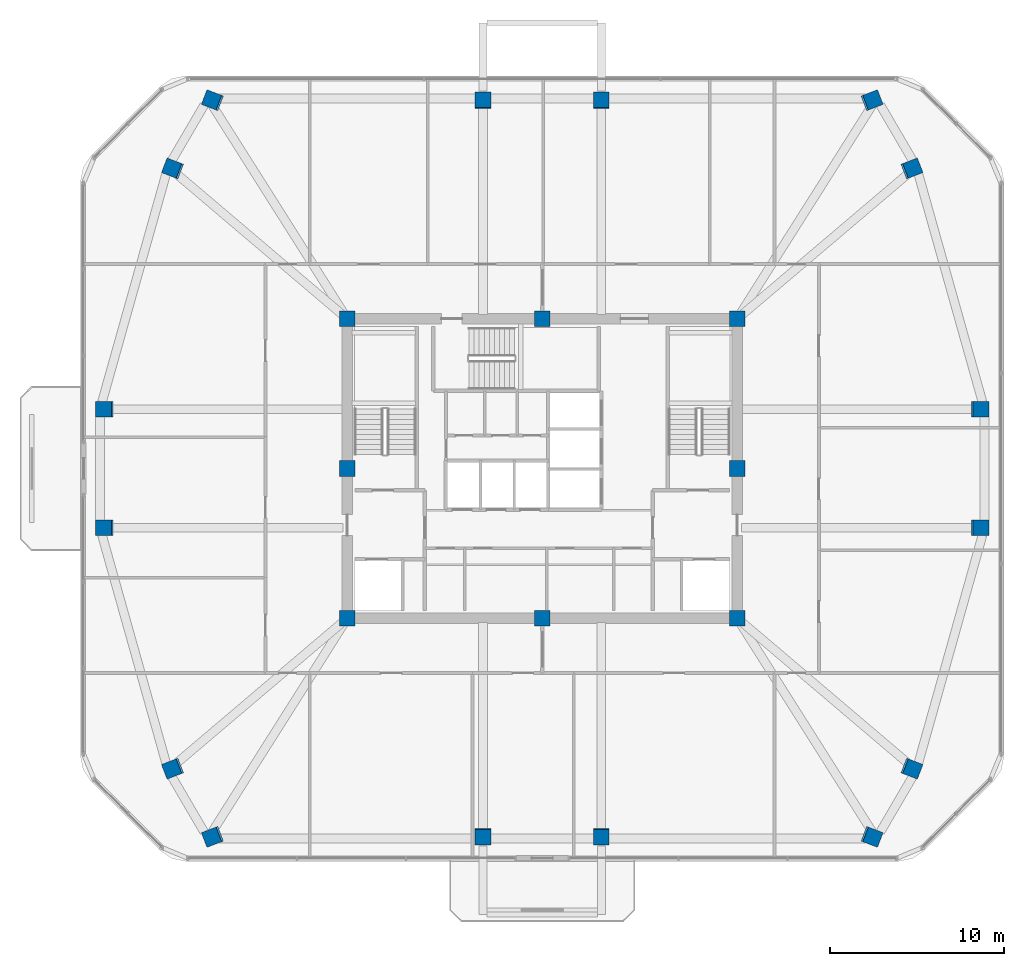
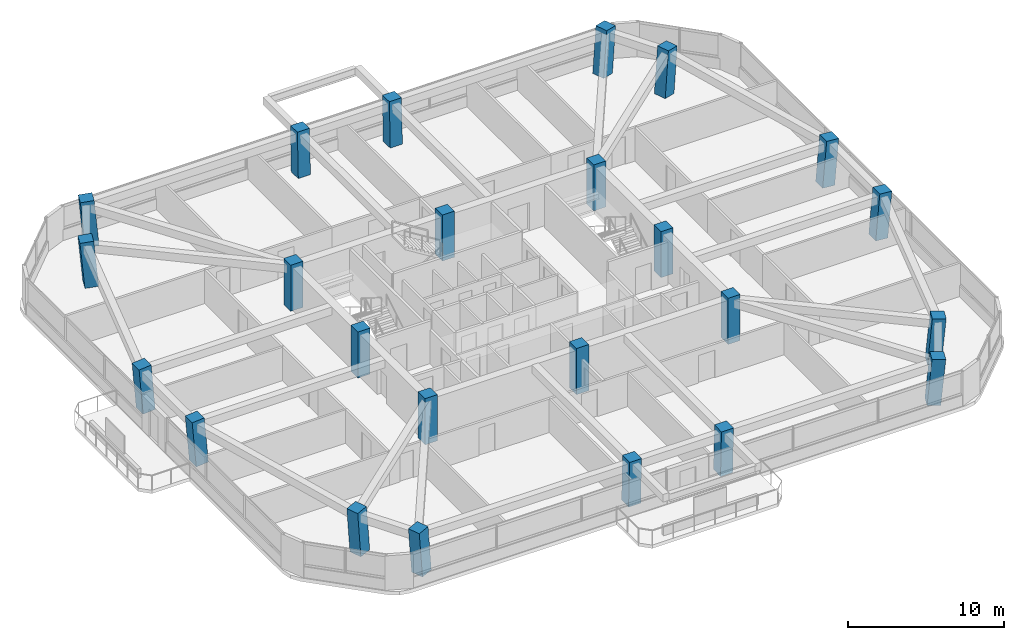
# One storey, part 1 of 13: 24 columns.
"""IFC4 building model written with IfcOpenShell, lengths in metres."""

from ifc_helpers import new_model, si_unit, derived_unit, direction, frame, origin, origin_2d, place, context, subcontext, project, spatial, rectangle, extrude, material, material_profile, profile_set, type_object, element, save


model = new_model("IFC4")

# Units and contexts
model_context = context("Model", 3, precision=1e-05, world=origin(), true_north=direction((0.0, 1.0)))
body_context = subcontext(model_context, "Body", "Model", "MODEL_VIEW")
ifc_project = project(units=[si_unit("LENGTHUNIT", "METRE"), si_unit("AREAUNIT", "SQUARE_METRE"), si_unit("VOLUMEUNIT", "CUBIC_METRE"), si_unit("PLANEANGLEUNIT", "RADIAN"), si_unit("MASSUNIT", "GRAM", prefix="KILO"), derived_unit("THERMALTRANSMITTANCEUNIT", [(si_unit("POWERUNIT", "WATT"), 1), (si_unit("LENGTHUNIT", "METRE"), -2), (si_unit("THERMODYNAMICTEMPERATUREUNIT", "KELVIN"), -1)])], contexts=[model_context])

# Site, building, storey
site_placement = place(None, origin())
site = spatial("IfcSite", under=ifc_project, at=site_placement, CompositionType="ELEMENT")
building_placement = place(site_placement, origin())
building = spatial("IfcBuilding", under=site, at=building_placement, Name="Koralith Skygarden Medical Center", CompositionType="ELEMENT")
storey_placement = place(building_placement, frame((0.0, 0.0, 214.3798828125)))
storey = spatial("IfcBuildingStorey", under=building, at=storey_placement, Name="L55", CompositionType="ELEMENT", Elevation=214.3798828125)

# Columns
ifc_material = material(Name="Concrete C55/67", Category="concrete")
ifc_material_profile_1 = material_profile(ifc_material, rectangle(XDim=0.89990234375, YDim=0.89990234375, at=origin_2d()), Name="RC900X900")
ifc_profile_set_1 = profile_set([ifc_material_profile_1], Name="Concrete C55/67")
column_type_1 = type_object("IfcColumnType", Name="Core Column C55 RC900", PredefinedType="COLUMN", material=ifc_profile_set_1)
for number, where, z_axis, x_axis, name in (
    (1, (25.800048828125, 17.300048828125, 0.0), (0.0, 0.0, 1.0), (1.0, 0.0, 0.0), "L55 Core Column CC-01"),
    (2, (37.0, 17.300048828125, 0.0), (0.0, 0.0, 1.0), (1.0, 0.0, 0.0), "L55 Core Column CC-02"),
    (3, (48.199951171875, 17.300048828125, 0.0), (0.0, 0.0, 1.0), (1.0, 0.0, 0.0), "L55 Core Column CC-03"),
    (4, (48.199951171875, 25.89990234375, 0.0), (0.0, 0.0, 1.0), (1.0, 0.0, 0.0), "L55 Core Column CC-04"),
    (5, (48.199951171875, 34.5, 0.0), (0.0, 0.0, 1.0), (1.0, 0.0, 0.0), "L55 Core Column CC-05"),
    (6, (37.0, 34.5, 0.0), (0.0, 0.0, 1.0), (1.0, 0.0, 0.0), "L55 Core Column CC-06"),
    (7, (25.800048828125, 34.5, 0.0), (0.0, 0.0, 1.0), (1.0, 0.0, 0.0), "L55 Core Column CC-07"),
    (8, (25.800048828125, 25.89990234375, 0.0), (0.0, 0.0, 1.0), (1.0, 0.0, 0.0), "L55 Core Column CC-08"),
):
    element("IfcColumn", number, at=place(storey_placement, frame(where, z_axis=z_axis, x_axis=x_axis)), inside=storey, type_object=column_type_1, Name=name, PredefinedType="COLUMN", context=body_context, shape_type="SweptSolid", body=[
        extrude(rectangle(XDim=0.89990234375, YDim=0.89990234375, at=origin_2d()), origin(), (0.0, 0.0, 1.0), 3.60009765625),
    ])
ifc_material_profile_2 = material_profile(ifc_material, rectangle(XDim=0.89990234375, YDim=0.89990234375, at=origin_2d()), Name="RC900X900")
ifc_profile_set_2 = profile_set([ifc_material_profile_2], Name="Concrete C55/67")
column_type_2 = type_object("IfcColumnType", Name="Zone 4 Flare Mega-Column C55 RC900", PredefinedType="COLUMN", material=ifc_profile_set_2)
column_1_placement = place(storey_placement, frame((11.883056640625, 22.5, 0.02099609375), z_axis=(-0.084573087246, 0.0, 0.99641727851), x_axis=(0.0, -1.0, 0.0)))
element("IfcColumn", 9, at=column_1_placement, inside=storey, type_object=column_type_2, Name="L55 Perimeter Mega-Column MC-01", PredefinedType="COLUMN", context=body_context, shape_type="SweptSolid", body=[
    extrude(rectangle(XDim=0.89990234375, YDim=0.89990234375, at=origin_2d()), origin(), (0.0, 0.0, 1.0), 3.57080078125),
])
for number, where, z_axis, x_axis, name in (
    (10, (15.802978515625, 8.672119140625, 0.02099609375), (-0.084528336914, -0.032526668044, 0.995890042186), (0.359130747652, -0.933287258078, 0.0), "L55 Perimeter Mega-Column MC-02"),
    (11, (18.094970703125, 4.751953125, 0.02099609375), (-0.084799896141, -0.032457655654, 0.995869207378), (0.357465730512, -0.933926255927, 0.0), "L55 Perimeter Mega-Column MC-03"),
):
    element("IfcColumn", number, at=place(storey_placement, frame(where, z_axis=z_axis, x_axis=x_axis)), inside=storey, type_object=column_type_2, Name=name, PredefinedType="COLUMN", context=body_context, shape_type="SweptSolid", body=[
        extrude(rectangle(XDim=0.89990234375, YDim=0.89990234375, at=origin_2d()), origin(), (0.0, 0.0, 1.0), 3.57275390625),
    ])
for number, where, z_axis, x_axis, name in (
    (12, (33.60009765625, 4.751953125, 0.02099609375), (0.0, -0.032574990718, 0.999469294166), (1.0, 0.0, 0.0), "L55 Perimeter Mega-Column MC-04"),
    (13, (40.39990234375, 4.751953125, 0.02099609375), (0.0, -0.032574990718, 0.999469294166), (1.0, 0.0, 0.0), "L55 Perimeter Mega-Column MC-05"),
):
    element("IfcColumn", number, at=place(storey_placement, frame(where, z_axis=z_axis, x_axis=x_axis)), inside=storey, type_object=column_type_2, Name=name, PredefinedType="COLUMN", context=body_context, shape_type="SweptSolid", body=[
        extrude(rectangle(XDim=0.89990234375, YDim=0.89990234375, at=origin_2d()), origin(), (0.0, 0.0, 1.0), 3.56005859375),
    ])
for number, where, z_axis, x_axis, name in (
    (14, (55.905029296875, 4.751953125, 0.02099609375), (0.084799896141, -0.032457655654, 0.995869207378), (0.357465730512, 0.933926255927, 0.0), "L55 Perimeter Mega-Column MC-06"),
    (15, (58.197021484375, 8.672119140625, 0.02099609375), (0.084528336914, -0.032526668044, 0.995890042186), (0.359130747652, 0.933287258078, 0.0), "L55 Perimeter Mega-Column MC-07"),
):
    element("IfcColumn", number, at=place(storey_placement, frame(where, z_axis=z_axis, x_axis=x_axis)), inside=storey, type_object=column_type_2, Name=name, PredefinedType="COLUMN", context=body_context, shape_type="SweptSolid", body=[
        extrude(rectangle(XDim=0.89990234375, YDim=0.89990234375, at=origin_2d()), origin(), (0.0, 0.0, 1.0), 3.57275390625),
    ])
for number, where, z_axis, x_axis, name in (
    (16, (62.116943359375, 22.5, 0.02099609375), (0.084573087246, 0.0, 0.99641727851), (0.0, 1.0, 0.0), "L55 Perimeter Mega-Column MC-08"),
    (17, (62.116943359375, 29.300048828125, 0.02099609375), (0.084573087246, 0.0, 0.99641727851), (0.0, 1.0, 0.0), "L55 Perimeter Mega-Column MC-09"),
):
    element("IfcColumn", number, at=place(storey_placement, frame(where, z_axis=z_axis, x_axis=x_axis)), inside=storey, type_object=column_type_2, Name=name, PredefinedType="COLUMN", context=body_context, shape_type="SweptSolid", body=[
        extrude(rectangle(XDim=0.89990234375, YDim=0.89990234375, at=origin_2d()), origin(), (0.0, 0.0, 1.0), 3.57080078125),
    ])
for number, where, z_axis, x_axis, name in (
    (18, (58.197021484375, 43.1279296875, 0.02099609375), (0.084528524595, 0.032458406776, 0.995892253389), (-0.358473312771, 0.933539974522, 0.0), "L55 Perimeter Mega-Column MC-10"),
    (19, (55.905029296875, 47.048095703125, 0.02099609375), (0.084799896141, 0.032457655654, 0.995869207378), (-0.357465730512, 0.933926255927, 0.0), "L55 Perimeter Mega-Column MC-11"),
):
    element("IfcColumn", number, at=place(storey_placement, frame(where, z_axis=z_axis, x_axis=x_axis)), inside=storey, type_object=column_type_2, Name=name, PredefinedType="COLUMN", context=body_context, shape_type="SweptSolid", body=[
        extrude(rectangle(XDim=0.89990234375, YDim=0.89990234375, at=origin_2d()), origin(), (0.0, 0.0, 1.0), 3.57275390625),
    ])
for number, where, z_axis, x_axis, name in (
    (20, (40.39990234375, 47.048095703125, 0.02099609375), (0.0, 0.032574990718, 0.999469294166), (-1.0, 0.0, 0.0), "L55 Perimeter Mega-Column MC-12"),
    (21, (33.60009765625, 47.048095703125, 0.02099609375), (0.0, 0.032574990718, 0.999469294166), (-1.0, 0.0, 0.0), "L55 Perimeter Mega-Column MC-13"),
):
    element("IfcColumn", number, at=place(storey_placement, frame(where, z_axis=z_axis, x_axis=x_axis)), inside=storey, type_object=column_type_2, Name=name, PredefinedType="COLUMN", context=body_context, shape_type="SweptSolid", body=[
        extrude(rectangle(XDim=0.89990234375, YDim=0.89990234375, at=origin_2d()), origin(), (0.0, 0.0, 1.0), 3.56005859375),
    ])
for number, where, z_axis, x_axis, name in (
    (22, (18.094970703125, 47.048095703125, 0.02099609375), (-0.084799896141, 0.032457655654, 0.995869207378), (-0.357465730512, -0.933926255927, 0.0), "L55 Perimeter Mega-Column MC-14"),
    (23, (15.802978515625, 43.1279296875, 0.02099609375), (-0.084528524595, 0.032458406776, 0.995892253389), (-0.358473312771, -0.933539974522, 0.0), "L55 Perimeter Mega-Column MC-15"),
):
    element("IfcColumn", number, at=place(storey_placement, frame(where, z_axis=z_axis, x_axis=x_axis)), inside=storey, type_object=column_type_2, Name=name, PredefinedType="COLUMN", context=body_context, shape_type="SweptSolid", body=[
        extrude(rectangle(XDim=0.89990234375, YDim=0.89990234375, at=origin_2d()), origin(), (0.0, 0.0, 1.0), 3.57275390625),
    ])
column_2_placement = place(storey_placement, frame((11.883056640625, 29.300048828125, 0.02099609375), z_axis=(-0.084573087246, 0.0, 0.99641727851), x_axis=(0.0, -1.0, 0.0)))
element("IfcColumn", 24, at=column_2_placement, inside=storey, type_object=column_type_2, Name="L55 Perimeter Mega-Column MC-16", PredefinedType="COLUMN", context=body_context, shape_type="SweptSolid", body=[
    extrude(rectangle(XDim=0.89990234375, YDim=0.89990234375, at=origin_2d()), origin(), (0.0, 0.0, 1.0), 3.57080078125),
])

save(model, "model.ifc")
